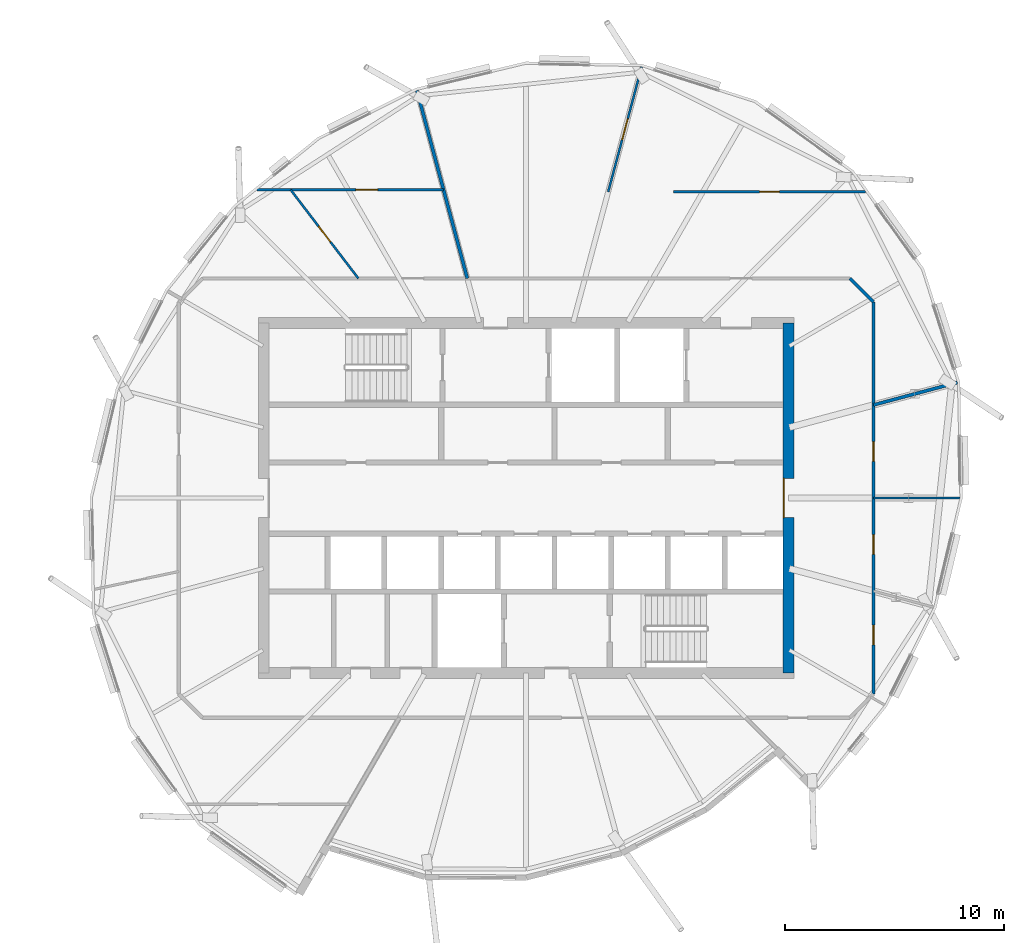
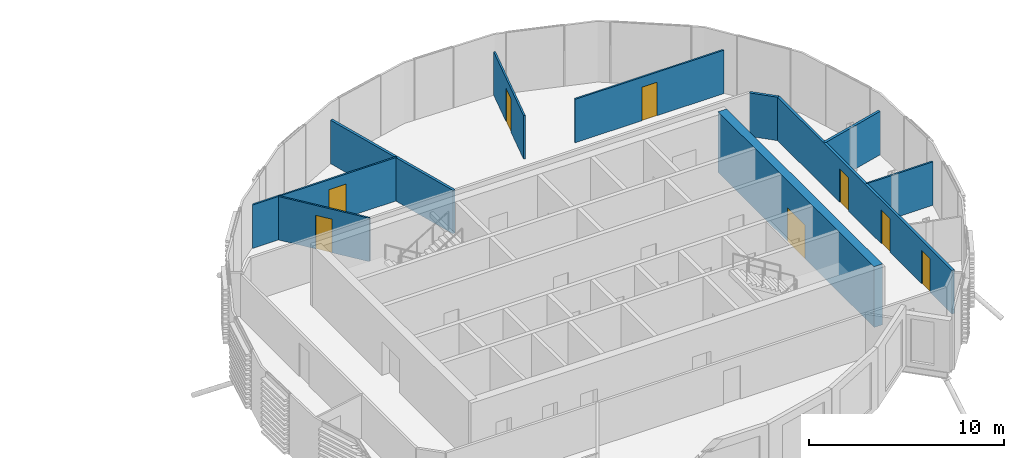
# One storey, part 25 of 41: 10 walls, 8 doors, 8 openings.
"""IFC4 building model written with IfcOpenShell, lengths in metres."""

from ifc_helpers import new_model, si_unit, direction, frame, frame_2d, origin, place, context, subcontext, project, spatial, rectangle, extrude, material, layer, layer_set, type_object, element, fill, save


model = new_model("IFC4")

# Units and contexts
model_context = context("Model", 3, precision=1e-05, world=origin(), true_north=direction((0.0, 1.0)))
body_context = subcontext(model_context, "Body", "Model", "MODEL_VIEW")
ifc_project = project(units=[si_unit("LENGTHUNIT", "METRE"), si_unit("AREAUNIT", "SQUARE_METRE"), si_unit("VOLUMEUNIT", "CUBIC_METRE"), si_unit("PLANEANGLEUNIT", "RADIAN"), si_unit("MASSUNIT", "GRAM", prefix="KILO")], contexts=[model_context])

# Site, building, storey
site_placement = place(None, origin())
site = spatial("IfcSite", under=ifc_project, at=site_placement, CompositionType="ELEMENT")
building_placement = place(site_placement, origin())
building = spatial("IfcBuilding", under=site, at=building_placement, Name="Rimbun Link Towers", CompositionType="ELEMENT")
storey_placement = place(building_placement, frame((0.0, 0.0, 214.300048828125)))
storey = spatial("IfcBuildingStorey", under=building, at=storey_placement, Name="L52", CompositionType="ELEMENT", Elevation=214.300048828125)

# Wall, opening, door
ifc_material_1 = material(Name="Concrete C60/75", Category="concrete")
ifc_layer_1 = layer(ifc_material_1, 0.5)
ifc_layer_set_1 = layer_set([ifc_layer_1], Name="Core shear wall 500")
wall_type_1 = type_object("IfcWallType", Name="Core shear wall 500", PredefinedType="SHEAR", material=ifc_layer_set_1)
wall_1_placement = place(storey_placement, frame((43.75, -8.0, 0.0), z_axis=(0.0, 0.0, 1.0), x_axis=(0.0, 1.0, 0.0)))
wall_1 = element("IfcWall", 1, at=wall_1_placement, inside=storey, type_object=wall_type_1, Name="L52 T2 core wall E", PredefinedType="SHEAR", context=body_context, shape_type="SweptSolid", body=[
    extrude(rectangle(XDim=16.0, YDim=0.5, at=frame_2d((8.0, 0.0))), origin(), (0.0, 0.0, 1.0), 3.800048828125),
])
opening_1_placement = place(wall_1_placement, frame((7.10009765625, 0.0, 0.0)))
opening_1 = element("IfcOpeningElement", 2, at=opening_1_placement, cuts=wall_1, Name="Opening C2DCL01E", PredefinedType="OPENING", context=body_context, shape_type="SweptSolid", body=[
    extrude(rectangle(XDim=1.800048828125, YDim=2.10009765625, at=frame_2d((0.89990234375, 1.050048828125))), frame((0.0, 0.260009765625, 0.0), z_axis=(0.0, -1.0, 0.0), x_axis=(1.0, 0.0, 0.0)), (0.0, 0.0, 1.0), 0.52001953125),
])
ifc_material_2 = material(Name="Steel fire door set", Category="steel")
door_type_1 = type_object("IfcDoorType", Name="Core lobby door double", OperationType="DOUBLE_DOOR_SINGLE_SWING", PredefinedType="DOOR", material=ifc_material_2)
door_1_placement = place(opening_1_placement, origin())
door_1 = element("IfcDoor", 3, at=door_1_placement, inside=storey, type_object=door_type_1, Name="L52 T2 lift lobby door", OperationType="DOUBLE_DOOR_SINGLE_SWING", OverallHeight=2.10009765625, OverallWidth=1.800048828125, PredefinedType="DOOR", context=body_context, shape_type="SweptSolid", body=[
    extrude(rectangle(XDim=1.800048828125, YDim=2.10009765625, at=frame_2d((0.89990234375, 1.050048828125))), frame((0.0, 0.25, 0.0), z_axis=(0.0, -1.0, 0.0), x_axis=(1.0, 0.0, 0.0)), (0.0, 0.0, 1.0), 0.050048828125),
])
fill(opening_1, door_1)

# Wall
ifc_material_3 = material(Name="Plasterboard on steel stud, mineral wool", Category="steel")
ifc_layer_2 = layer(ifc_material_3, 0.14990234375)
ifc_layer_set_2 = layer_set([ifc_layer_2], Name="Corridor wall EI 30 150 mm")
wall_type_2 = type_object("IfcWallType", Name="Corridor wall EI 30 150 mm", PredefinedType="PARTITIONING", material=ifc_layer_set_2)
wall_2_placement = place(storey_placement, frame((47.635009765625, 8.963623046875, 0.0), z_axis=(0.0, 0.0, 1.0), x_axis=(-0.707106781187, 0.707106781187, 0.0)))
element("IfcWall", 4, at=wall_2_placement, inside=storey, type_object=wall_type_2, Name="Corridor wall EI 30 150 mm", PredefinedType="PARTITIONING", context=body_context, shape_type="SweptSolid", body=[
    extrude(rectangle(XDim=1.529296875, YDim=0.14990234375, at=frame_2d((0.7646484375, 0.0))), origin(), (0.0, 0.0, 1.0), 2.721923828125),
])

# Wall, openings, doors
wall_3_placement = place(storey_placement, frame((47.635009765625, 8.963623046875, 0.0), z_axis=(0.0, 0.0, 1.0), x_axis=(0.0, -1.0, 0.0)))
wall_3 = element("IfcWall", 5, at=wall_3_placement, inside=storey, type_object=wall_type_2, Name="Corridor wall EI 30 150 mm", PredefinedType="PARTITIONING", context=body_context, shape_type="SweptSolid", body=[
    extrude(rectangle(XDim=17.92724609375, YDim=0.14990234375, at=frame_2d((8.963623046875, 0.0))), origin(), (0.0, 0.0, 1.0), 2.721923828125),
])
opening_2_placement = place(wall_3_placement, frame((14.781982421875, 0.0, 0.0)))
opening_2 = element("IfcOpeningElement", 6, at=opening_2_placement, cuts=wall_3, Name="Opening D02", PredefinedType="OPENING", context=body_context, shape_type="SweptSolid", body=[
    extrude(rectangle(XDim=0.89990234375, YDim=2.10009765625, at=frame_2d((0.449951171875, 1.050048828125))), frame((0.0, 0.0849609375, 0.0), z_axis=(0.0, -1.0, 0.0), x_axis=(1.0, 0.0, 0.0)), (0.0, 0.0, 1.0), 0.169921875),
])
opening_3_placement = place(wall_3_placement, frame((10.641845703125, 0.0, 0.0)))
opening_3 = element("IfcOpeningElement", 7, at=opening_3_placement, cuts=wall_3, Name="Opening D02", PredefinedType="OPENING", context=body_context, shape_type="SweptSolid", body=[
    extrude(rectangle(XDim=0.89990234375, YDim=2.10009765625, at=frame_2d((0.449951171875, 1.050048828125))), frame((0.0, 0.0849609375, 0.0), z_axis=(0.0, -1.0, 0.0), x_axis=(1.0, 0.0, 0.0)), (0.0, 0.0, 1.0), 0.169921875),
])
opening_4_placement = place(wall_3_placement, frame((6.385498046875, 0.0, 0.0)))
opening_4 = element("IfcOpeningElement", 8, at=opening_4_placement, cuts=wall_3, Name="Opening D02", PredefinedType="OPENING", context=body_context, shape_type="SweptSolid", body=[
    extrude(rectangle(XDim=0.89990234375, YDim=2.10009765625, at=frame_2d((0.449951171875, 1.050048828125))), frame((0.0, 0.0849609375, 0.0), z_axis=(0.0, -1.0, 0.0), x_axis=(1.0, 0.0, 0.0)), (0.0, 0.0, 1.0), 0.169921875),
])
ifc_material_4 = material(Name="Fire-resisting timber door leaf", Category="wood")
door_type_2 = type_object("IfcDoorType", Name="Fire door FD30S 900", OperationType="NOTDEFINED", PredefinedType="DOOR", material=ifc_material_4)
door_2_placement = place(opening_2_placement, origin())
door_2 = element("IfcDoor", 9, at=door_2_placement, inside=storey, type_object=door_type_2, Name="Fire door FD30S 900 to Print room", OperationType="SINGLE_SWING_RIGHT", OverallHeight=2.10009765625, OverallWidth=0.89990234375, PredefinedType="DOOR", context=body_context, shape_type="SweptSolid", body=[
    extrude(rectangle(XDim=0.89990234375, YDim=2.10009765625, at=frame_2d((0.449951171875, 1.050048828125))), frame((0.0, 0.02490234375, 0.0), z_axis=(0.0, -1.0, 0.0), x_axis=(1.0, 0.0, 0.0)), (0.0, 0.0, 1.0), 0.050048828125),
])
fill(opening_2, door_2)
door_3_placement = place(opening_3_placement, origin())
door_3 = element("IfcDoor", 10, at=door_3_placement, inside=storey, type_object=door_type_2, Name="Fire door FD30S 900 to Open office", OperationType="SINGLE_SWING_LEFT", OverallHeight=2.10009765625, OverallWidth=0.89990234375, PredefinedType="DOOR", context=body_context, shape_type="SweptSolid", body=[
    extrude(rectangle(XDim=0.89990234375, YDim=2.10009765625, at=frame_2d((0.449951171875, 1.050048828125))), frame((0.0, 0.02490234375, 0.0), z_axis=(0.0, -1.0, 0.0), x_axis=(1.0, 0.0, 0.0)), (0.0, 0.0, 1.0), 0.050048828125),
])
fill(opening_3, door_3)
door_4_placement = place(opening_4_placement, origin())
door_4 = element("IfcDoor", 11, at=door_4_placement, inside=storey, type_object=door_type_2, Name="Fire door FD30S 900 to Meeting room", OperationType="SINGLE_SWING_RIGHT", OverallHeight=2.10009765625, OverallWidth=0.89990234375, PredefinedType="DOOR", context=body_context, shape_type="SweptSolid", body=[
    extrude(rectangle(XDim=0.89990234375, YDim=2.10009765625, at=frame_2d((0.449951171875, 1.050048828125))), frame((0.0, 0.02490234375, 0.0), z_axis=(0.0, -1.0, 0.0), x_axis=(1.0, 0.0, 0.0)), (0.0, 0.0, 1.0), 0.050048828125),
])
fill(opening_4, door_4)

# Wall
ifc_material_5 = material(Name="Plasterboard on steel stud", Category="steel")
ifc_layer_3 = layer(ifc_material_5, 0.10009765625)
ifc_layer_set_3 = layer_set([ifc_layer_3], Name="Plasterboard partition 100 mm")
wall_type_3 = type_object("IfcWallType", Name="Plasterboard partition 100 mm", PredefinedType="PARTITIONING", material=ifc_layer_set_3)
wall_4_placement = place(storey_placement, frame((51.586181640625, 0.0, 0.0), z_axis=(0.0, 0.0, 1.0), x_axis=(-1.0, 0.0, 0.0)))
element("IfcWall", 12, at=wall_4_placement, inside=storey, type_object=wall_type_3, Name="Plasterboard partition 100 mm", PredefinedType="PARTITIONING", context=body_context, shape_type="SweptSolid", body=[
    extrude(rectangle(XDim=3.951171875, YDim=0.10009765625, at=frame_2d((1.9755859375, 0.0))), origin(), (0.0, 0.0, 1.0), 2.721923828125),
])

# Wall, opening, door
wall_5_placement = place(storey_placement, frame((38.480712890625, 14.0048828125, 0.0), z_axis=(0.0, 0.0, 1.0), x_axis=(1.0, 0.0, 0.0)))
wall_5 = element("IfcWall", 13, at=wall_5_placement, inside=storey, type_object=wall_type_3, Name="Plasterboard partition 100 mm", PredefinedType="PARTITIONING", context=body_context, shape_type="SweptSolid", body=[
    extrude(rectangle(XDim=8.79736328125, YDim=0.10009765625, at=frame_2d((4.398681640625, 0.0))), origin(), (0.0, 0.0, 1.0), 2.721923828125),
])
opening_5_placement = place(wall_5_placement, frame((3.94873046875, 0.0, 0.0)))
opening_5 = element("IfcOpeningElement", 14, at=opening_5_placement, cuts=wall_5, Name="Opening D04", PredefinedType="OPENING", context=body_context, shape_type="SweptSolid", body=[
    extrude(rectangle(XDim=0.89990234375, YDim=2.10009765625, at=frame_2d((0.449951171875, 1.050048828125))), frame((0.0, 0.06005859375, 0.0), z_axis=(0.0, -1.0, 0.0), x_axis=(1.0, 0.0, 0.0)), (0.0, 0.0, 1.0), 0.1201171875),
])
ifc_material_6 = material(Name="Timber door leaf", Category="wood")
door_type_3 = type_object("IfcDoorType", Name="Flush door 900", OperationType="NOTDEFINED", PredefinedType="DOOR", material=ifc_material_6)
door_5_placement = place(opening_5_placement, origin())
door_5 = element("IfcDoor", 15, at=door_5_placement, inside=storey, type_object=door_type_3, Name="Flush door 900 to Executive office", OperationType="SINGLE_SWING_LEFT", OverallHeight=2.10009765625, OverallWidth=0.89990234375, PredefinedType="DOOR", context=body_context, shape_type="SweptSolid", body=[
    extrude(rectangle(XDim=0.89990234375, YDim=2.10009765625, at=frame_2d((0.449951171875, 1.050048828125))), frame((0.0, 0.02490234375, 0.0), z_axis=(0.0, -1.0, 0.0), x_axis=(1.0, 0.0, 0.0)), (0.0, 0.0, 1.0), 0.050048828125),
])
fill(opening_5, door_5)

wall_6_placement = place(storey_placement, frame((35.502685546875, 14.0048828125, 0.0), z_axis=(0.0, 0.0, 1.0), x_axis=(0.258817138087, 0.96592633727, 0.0)))
wall_6 = element("IfcWall", 16, at=wall_6_placement, inside=storey, type_object=wall_type_3, Name="Plasterboard partition 100 mm", PredefinedType="PARTITIONING", context=body_context, shape_type="SweptSolid", body=[
    extrude(rectangle(XDim=5.922119140625, YDim=0.10009765625, at=frame_2d((2.9609375, 0.0))), origin(), (0.0, 0.0, 1.0), 2.721923828125),
])
opening_6_placement = place(wall_6_placement, frame((2.4609375, 0.0, 0.0)))
opening_6 = element("IfcOpeningElement", 17, at=opening_6_placement, cuts=wall_6, Name="Opening D03", PredefinedType="OPENING", context=body_context, shape_type="SweptSolid", body=[
    extrude(rectangle(XDim=1.0, YDim=2.10009765625, at=frame_2d((0.5, 1.050048828125))), frame((0.0, 0.06005859375, 0.0), z_axis=(0.0, -1.0, 0.0), x_axis=(1.0, 0.0, 0.0)), (0.0, 0.0, 1.0), 0.1201171875),
])
ifc_material_7 = material(Name="Timber door leaf", Category="wood")
door_type_4 = type_object("IfcDoorType", Name="Flush door 1000", OperationType="NOTDEFINED", PredefinedType="DOOR", material=ifc_material_7)
door_6_placement = place(opening_6_placement, origin())
door_6 = element("IfcDoor", 18, at=door_6_placement, inside=storey, type_object=door_type_4, Name="Flush door 1000 to Open office", OperationType="SINGLE_SWING_LEFT", OverallHeight=2.10009765625, OverallWidth=1.0, PredefinedType="DOOR", context=body_context, shape_type="SweptSolid", body=[
    extrude(rectangle(XDim=1.0, YDim=2.10009765625, at=frame_2d((0.5, 1.050048828125))), frame((0.0, 0.02490234375, 0.0), z_axis=(0.0, -1.0, 0.0), x_axis=(1.0, 0.0, 0.0)), (0.0, 0.0, 1.0), 0.050048828125),
])
fill(opening_6, door_6)

wall_7_placement = place(storey_placement, frame((24.07568359375, 10.044921875, 0.0), z_axis=(0.0, 0.0, 1.0), x_axis=(-0.607096228964, 0.794628321152, 0.0)))
wall_7 = element("IfcWall", 19, at=wall_7_placement, inside=storey, type_object=wall_type_3, Name="Plasterboard partition 100 mm", PredefinedType="PARTITIONING", context=body_context, shape_type="SweptSolid", body=[
    extrude(rectangle(XDim=5.0966796875, YDim=0.10009765625, at=frame_2d((2.54833984375, 0.0))), origin(), (0.0, 0.0, 1.0), 2.721923828125),
])
opening_7_placement = place(wall_7_placement, frame((2.098388671875, 0.0, 0.0)))
opening_7 = element("IfcOpeningElement", 20, at=opening_7_placement, cuts=wall_7, Name="Opening D04", PredefinedType="OPENING", context=body_context, shape_type="SweptSolid", body=[
    extrude(rectangle(XDim=0.89990234375, YDim=2.10009765625, at=frame_2d((0.449951171875, 1.050048828125))), frame((0.0, 0.06005859375, 0.0), z_axis=(0.0, -1.0, 0.0), x_axis=(1.0, 0.0, 0.0)), (0.0, 0.0, 1.0), 0.1201171875),
])
door_7_placement = place(opening_7_placement, origin())
door_7 = element("IfcDoor", 21, at=door_7_placement, inside=storey, type_object=door_type_3, Name="Flush door 900 to Pantry", OperationType="SINGLE_SWING_RIGHT", OverallHeight=2.10009765625, OverallWidth=0.89990234375, PredefinedType="DOOR", context=body_context, shape_type="SweptSolid", body=[
    extrude(rectangle(XDim=0.89990234375, YDim=2.10009765625, at=frame_2d((0.449951171875, 1.050048828125))), frame((0.0, 0.02490234375, 0.0), z_axis=(0.0, -1.0, 0.0), x_axis=(1.0, 0.0, 0.0)), (0.0, 0.0, 1.0), 0.050048828125),
])
fill(opening_7, door_7)

wall_8_placement = place(storey_placement, frame((19.440673828125, 14.094970703125, 0.0), z_axis=(0.0, 0.0, 1.0), x_axis=(1.0, 0.0, 0.0)))
wall_8 = element("IfcWall", 22, at=wall_8_placement, inside=storey, type_object=wall_type_3, Name="Plasterboard partition 100 mm", PredefinedType="PARTITIONING", context=body_context, shape_type="SweptSolid", body=[
    extrude(rectangle(XDim=8.53271484375, YDim=0.10009765625, at=frame_2d((4.266357421875, 0.0))), origin(), (0.0, 0.0, 1.0), 2.721923828125),
])
opening_8_placement = place(wall_8_placement, frame((4.521728515625, 0.0, 0.0)))
opening_8 = element("IfcOpeningElement", 23, at=opening_8_placement, cuts=wall_8, Name="Opening D03", PredefinedType="OPENING", context=body_context, shape_type="SweptSolid", body=[
    extrude(rectangle(XDim=1.0, YDim=2.10009765625, at=frame_2d((0.5, 1.050048828125))), frame((0.0, 0.06005859375, 0.0), z_axis=(0.0, -1.0, 0.0), x_axis=(1.0, 0.0, 0.0)), (0.0, 0.0, 1.0), 0.1201171875),
])
door_8_placement = place(opening_8_placement, origin())
door_8 = element("IfcDoor", 24, at=door_8_placement, inside=storey, type_object=door_type_4, Name="Flush door 1000 to Boardroom", OperationType="SINGLE_SWING_LEFT", OverallHeight=2.10009765625, OverallWidth=1.0, PredefinedType="DOOR", context=body_context, shape_type="SweptSolid", body=[
    extrude(rectangle(XDim=1.0, YDim=2.10009765625, at=frame_2d((0.5, 1.050048828125))), frame((0.0, 0.02490234375, 0.0), z_axis=(0.0, -1.0, 0.0), x_axis=(1.0, 0.0, 0.0)), (0.0, 0.0, 1.0), 0.050048828125),
])
fill(opening_8, door_8)

# Walls
ifc_material_8 = material(Name="Plasterboard on steel stud, mineral wool", Category="steel")
ifc_layer_4 = layer(ifc_material_8, 0.14990234375)
ifc_layer_set_4 = layer_set([ifc_layer_4], Name="Tenancy separation wall EI 60 150 mm")
wall_type_4 = type_object("IfcWallType", Name="Tenancy separation wall EI 60 150 mm", PredefinedType="PARTITIONING", material=ifc_layer_set_4)
wall_9_placement = place(storey_placement, frame((29.05859375, 10.044921875, 0.0), z_axis=(0.0, 0.0, 1.0), x_axis=(-0.258843948873, 0.965919153, 0.0)))
element("IfcWall", 25, at=wall_9_placement, inside=storey, type_object=wall_type_4, Name="Tenancy separation wall EI 60 150 mm", PredefinedType="PARTITIONING", context=body_context, shape_type="SweptSolid", body=[
    extrude(rectangle(XDim=8.89990234375, YDim=0.14990234375, at=frame_2d((4.449951171875, 0.0))), origin(), (0.0, 0.0, 1.0), 2.721923828125),
])
wall_10_placement = place(storey_placement, frame((47.635009765625, 4.25634765625, 0.0), z_axis=(0.0, 0.0, 1.0), x_axis=(0.965919268115, 0.258843519302, 0.0)))
element("IfcWall", 26, at=wall_10_placement, inside=storey, type_object=wall_type_4, Name="Tenancy separation wall EI 60 150 mm", PredefinedType="PARTITIONING", context=body_context, shape_type="SweptSolid", body=[
    extrude(rectangle(XDim=3.9755859375, YDim=0.14990234375, at=frame_2d((1.98779296875, 0.0))), origin(), (0.0, 0.0, 1.0), 2.721923828125),
])

save(model, "model.ifc")
